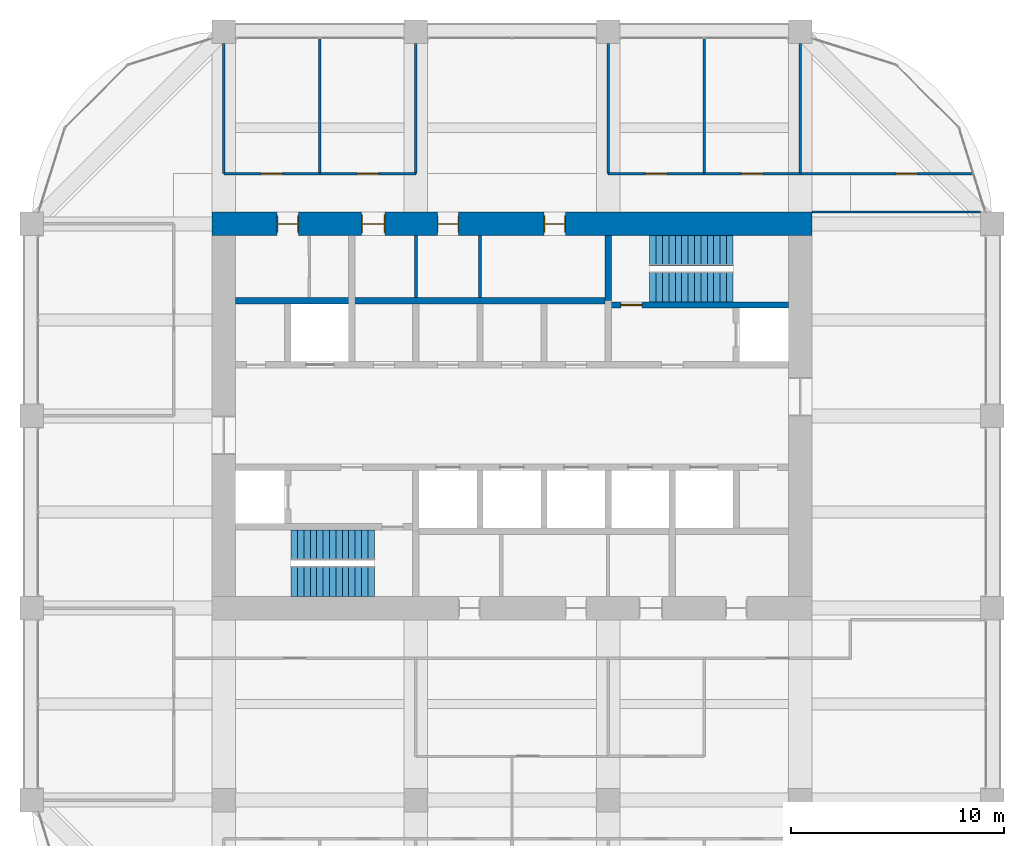
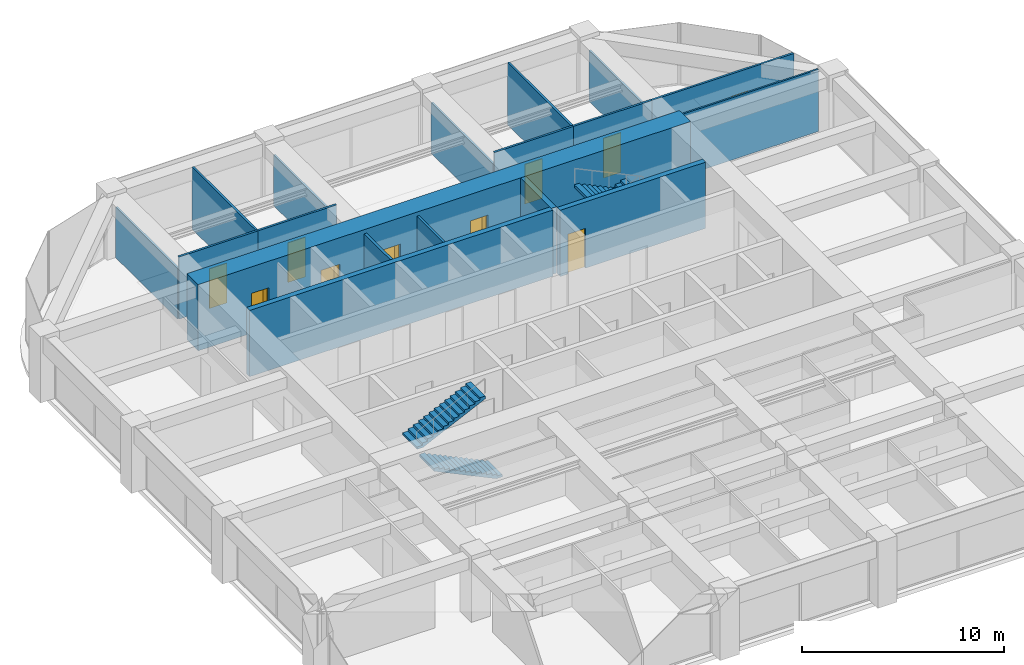
# One storey, part 43 of 44: 18 walls, 10 doors, 4 stair flights, 10 openings, 2 elements without a shape of their own.
"""IFC4 building model written with IfcOpenShell, lengths in metres."""

from ifc_helpers import new_model, si_unit, direction, frame, frame_2d, origin, place, context, subcontext, project, spatial, polyline, rectangle, outline, extrude, material, layer, layer_set, type_object, element, fill, aggregate, save


model = new_model("IFC4")

# Units and contexts
model_context = context("Model", 3, precision=1e-05, world=origin(), true_north=direction((0.0, 1.0)))
body_context = subcontext(model_context, "Body", "Model", "MODEL_VIEW")
ifc_project = project(units=[si_unit("LENGTHUNIT", "METRE"), si_unit("AREAUNIT", "SQUARE_METRE"), si_unit("VOLUMEUNIT", "CUBIC_METRE"), si_unit("PLANEANGLEUNIT", "RADIAN"), si_unit("MASSUNIT", "GRAM", prefix="KILO")], contexts=[model_context])

# Site, building, storey
site_placement = place(None, origin())
site = spatial("IfcSite", under=ifc_project, at=site_placement, CompositionType="ELEMENT")
building_placement = place(site_placement, origin())
building = spatial("IfcBuilding", under=site, at=building_placement, Name="Zorevar Civic Tower", CompositionType="ELEMENT")
storey_placement = place(building_placement, frame((0.0, 0.0, 283.39990234375)))
storey = spatial("IfcBuildingStorey", under=building, at=storey_placement, Name="L69", CompositionType="ELEMENT", Elevation=283.39990234375)

# Wall, openings, doors
ifc_material_1 = material(Name="Concrete C50/60", Category="concrete")
ifc_layer_1 = layer(ifc_material_1, 1.10009765625)
ifc_layer_set_1 = layer_set([ifc_layer_1], Name="Core wall 1100")
wall_type_1 = type_object("IfcWallType", Name="Core wall 1100", PredefinedType="SHEAR", material=ifc_layer_set_1)
wall_1_placement = place(storey_placement, frame((45.550048828125, 36.0, 0.0), z_axis=(0.0, 0.0, 1.0), x_axis=(-1.0, 0.0, 0.0)))
wall_1 = element("IfcWall", 1, at=wall_1_placement, inside=storey, type_object=wall_type_1, Name="Core wall N L69", PredefinedType="SHEAR", context=body_context, shape_type="SweptSolid", body=[
    extrude(rectangle(XDim=28.10009765625, YDim=1.10009765625, at=frame_2d((14.050048828125, 0.0))), origin(), (0.0, 0.0, 1.0), 4.0),
])
opening_1_placement = place(wall_1_placement, frame((11.550048828125, 0.0, 0.0)))
opening_1 = element("IfcOpeningElement", 2, at=opening_1_placement, cuts=wall_1, Name="Opening L69.07", PredefinedType="OPENING", context=body_context, shape_type="SweptSolid", body=[
    extrude(rectangle(XDim=1.0, YDim=2.39990234375, at=frame_2d((0.5, 1.199951171875))), frame((0.0, 0.56005859375, 0.0), z_axis=(0.0, -1.0, 0.0), x_axis=(1.0, 0.0, 0.0)), (0.0, 0.0, 1.0), 1.1201171875),
])
opening_2_placement = place(wall_1_placement, frame((16.550048828125, 0.0, 0.0)))
opening_2 = element("IfcOpeningElement", 3, at=opening_2_placement, cuts=wall_1, Name="Opening L69.08", PredefinedType="OPENING", context=body_context, shape_type="SweptSolid", body=[
    extrude(rectangle(XDim=1.0, YDim=2.39990234375, at=frame_2d((0.5, 1.199951171875))), frame((0.0, 0.56005859375, 0.0), z_axis=(0.0, -1.0, 0.0), x_axis=(1.0, 0.0, 0.0)), (0.0, 0.0, 1.0), 1.1201171875),
])
opening_3_placement = place(wall_1_placement, frame((20.0, 0.0, 0.0)))
opening_3 = element("IfcOpeningElement", 4, at=opening_3_placement, cuts=wall_1, Name="Opening L69.09", PredefinedType="OPENING", context=body_context, shape_type="SweptSolid", body=[
    extrude(rectangle(XDim=1.10009765625, YDim=2.39990234375, at=frame_2d((0.550048828125, 1.199951171875))), frame((0.0, 0.56005859375, 0.0), z_axis=(0.0, -1.0, 0.0), x_axis=(1.0, 0.0, 0.0)), (0.0, 0.0, 1.0), 1.1201171875),
])
opening_4_placement = place(wall_1_placement, frame((24.050048828125, 0.0, 0.0)))
opening_4 = element("IfcOpeningElement", 5, at=opening_4_placement, cuts=wall_1, Name="Opening L69.10", PredefinedType="OPENING", context=body_context, shape_type="SweptSolid", body=[
    extrude(rectangle(XDim=1.0, YDim=2.39990234375, at=frame_2d((0.5, 1.199951171875))), frame((0.0, 0.56005859375, 0.0), z_axis=(0.0, -1.0, 0.0), x_axis=(1.0, 0.0, 0.0)), (0.0, 0.0, 1.0), 1.1201171875),
])
ifc_material_2 = material(Name="Timber door set", Category="wood")
door_type_1 = type_object("IfcDoorType", Name="Door D1 1000x2400", OperationType="SINGLE_SWING_LEFT", PredefinedType="DOOR", material=ifc_material_2)
door_1_placement = place(opening_1_placement, origin())
door_1 = element("IfcDoor", 6, at=door_1_placement, inside=storey, type_object=door_type_1, Name="Door L69 06", OperationType="SINGLE_SWING_LEFT", OverallHeight=2.39990234375, OverallWidth=1.0, PredefinedType="DOOR", context=body_context, shape_type="SweptSolid", body=[
    extrude(rectangle(XDim=1.0, YDim=2.39990234375, at=frame_2d((0.5, 1.199951171875))), frame((0.0, 0.02490234375, 0.0), z_axis=(0.0, -1.0, 0.0), x_axis=(1.0, 0.0, 0.0)), (0.0, 0.0, 1.0), 0.050048828125),
    extrude(rectangle(XDim=0.04, YDim=2.39990234375, at=frame_2d((0.02001953125, 1.199951171875))), frame((0.0, 0.39990234375, 0.0), z_axis=(0.0, -1.0, 0.0), x_axis=(1.0, 0.0, 0.0)), (0.0, 0.0, 1.0), 0.800048828125),
    extrude(rectangle(XDim=0.04, YDim=2.39990234375, at=frame_2d((0.97998046875, 1.199951171875))), frame((0.0, 0.39990234375, 0.0), z_axis=(0.0, -1.0, 0.0), x_axis=(1.0, 0.0, 0.0)), (0.0, 0.0, 1.0), 0.800048828125),
    extrude(rectangle(XDim=1.0, YDim=0.04, at=frame_2d((0.5, 2.3798828125))), frame((0.0, 0.39990234375, 0.0), z_axis=(0.0, -1.0, 0.0), x_axis=(1.0, 0.0, 0.0)), (0.0, 0.0, 1.0), 0.800048828125),
])
fill(opening_1, door_1)
door_2_placement = place(opening_2_placement, origin())
door_2 = element("IfcDoor", 7, at=door_2_placement, inside=storey, type_object=door_type_1, Name="Door L69 07", OperationType="SINGLE_SWING_RIGHT", OverallHeight=2.39990234375, OverallWidth=1.0, PredefinedType="DOOR", context=body_context, shape_type="SweptSolid", body=[
    extrude(rectangle(XDim=1.0, YDim=2.39990234375, at=frame_2d((0.5, 1.199951171875))), frame((0.0, 0.02490234375, 0.0), z_axis=(0.0, -1.0, 0.0), x_axis=(1.0, 0.0, 0.0)), (0.0, 0.0, 1.0), 0.050048828125),
    extrude(rectangle(XDim=0.04, YDim=2.39990234375, at=frame_2d((0.02001953125, 1.199951171875))), frame((0.0, 0.39990234375, 0.0), z_axis=(0.0, -1.0, 0.0), x_axis=(1.0, 0.0, 0.0)), (0.0, 0.0, 1.0), 0.800048828125),
    extrude(rectangle(XDim=0.04, YDim=2.39990234375, at=frame_2d((0.97998046875, 1.199951171875))), frame((0.0, 0.39990234375, 0.0), z_axis=(0.0, -1.0, 0.0), x_axis=(1.0, 0.0, 0.0)), (0.0, 0.0, 1.0), 0.800048828125),
    extrude(rectangle(XDim=1.0, YDim=0.04, at=frame_2d((0.5, 2.3798828125))), frame((0.0, 0.39990234375, 0.0), z_axis=(0.0, -1.0, 0.0), x_axis=(1.0, 0.0, 0.0)), (0.0, 0.0, 1.0), 0.800048828125),
])
fill(opening_2, door_2)
door_3_placement = place(opening_4_placement, origin())
door_3 = element("IfcDoor", 8, at=door_3_placement, inside=storey, type_object=door_type_1, Name="Door L69 09", OperationType="SINGLE_SWING_RIGHT", OverallHeight=2.39990234375, OverallWidth=1.0, PredefinedType="DOOR", context=body_context, shape_type="SweptSolid", body=[
    extrude(rectangle(XDim=1.0, YDim=2.39990234375, at=frame_2d((0.5, 1.199951171875))), frame((0.0, 0.02490234375, 0.0), z_axis=(0.0, -1.0, 0.0), x_axis=(1.0, 0.0, 0.0)), (0.0, 0.0, 1.0), 0.050048828125),
    extrude(rectangle(XDim=0.04, YDim=2.39990234375, at=frame_2d((0.02001953125, 1.199951171875))), frame((0.0, 0.39990234375, 0.0), z_axis=(0.0, -1.0, 0.0), x_axis=(1.0, 0.0, 0.0)), (0.0, 0.0, 1.0), 0.800048828125),
    extrude(rectangle(XDim=0.04, YDim=2.39990234375, at=frame_2d((0.97998046875, 1.199951171875))), frame((0.0, 0.39990234375, 0.0), z_axis=(0.0, -1.0, 0.0), x_axis=(1.0, 0.0, 0.0)), (0.0, 0.0, 1.0), 0.800048828125),
    extrude(rectangle(XDim=1.0, YDim=0.04, at=frame_2d((0.5, 2.3798828125))), frame((0.0, 0.39990234375, 0.0), z_axis=(0.0, -1.0, 0.0), x_axis=(1.0, 0.0, 0.0)), (0.0, 0.0, 1.0), 0.800048828125),
])
fill(opening_4, door_3)
ifc_material_3 = material(Name="Timber door set", Category="wood")
door_type_2 = type_object("IfcDoorType", Name="Door D5 1100x2400", OperationType="SINGLE_SWING_LEFT", PredefinedType="DOOR", material=ifc_material_3)
door_4_placement = place(opening_3_placement, origin())
door_4 = element("IfcDoor", 9, at=door_4_placement, inside=storey, type_object=door_type_2, Name="Door L69 08", OperationType="SINGLE_SWING_RIGHT", OverallHeight=2.39990234375, OverallWidth=1.10009765625, PredefinedType="DOOR", context=body_context, shape_type="SweptSolid", body=[
    extrude(rectangle(XDim=1.10009765625, YDim=2.39990234375, at=frame_2d((0.550048828125, 1.199951171875))), frame((0.0, 0.02490234375, 0.0), z_axis=(0.0, -1.0, 0.0), x_axis=(1.0, 0.0, 0.0)), (0.0, 0.0, 1.0), 0.050048828125),
    extrude(rectangle(XDim=0.04, YDim=2.39990234375, at=frame_2d((0.02001953125, 1.199951171875))), frame((0.0, 0.43994140625, 0.0), z_axis=(0.0, -1.0, 0.0), x_axis=(1.0, 0.0, 0.0)), (0.0, 0.0, 1.0), 0.880126953125),
    extrude(rectangle(XDim=0.04, YDim=2.39990234375, at=frame_2d((1.080078125, 1.199951171875))), frame((0.0, 0.43994140625, 0.0), z_axis=(0.0, -1.0, 0.0), x_axis=(1.0, 0.0, 0.0)), (0.0, 0.0, 1.0), 0.880126953125),
    extrude(rectangle(XDim=1.10009765625, YDim=0.04, at=frame_2d((0.550048828125, 2.3798828125))), frame((0.0, 0.43994140625, 0.0), z_axis=(0.0, -1.0, 0.0), x_axis=(1.0, 0.0, 0.0)), (0.0, 0.0, 1.0), 0.880126953125),
])
fill(opening_3, door_4)

# Wall
ifc_material_4 = material(Name="Laminated glass in black aluminium frame", Category="aluminium")
ifc_layer_2 = layer(ifc_material_4, 0.10009765625)
ifc_layer_set_2 = layer_set([ifc_layer_2], Name="Glazed partition 100")
wall_type_2 = type_object("IfcWallType", Name="Glazed partition 100", PredefinedType="PARTITIONING", material=ifc_layer_set_2)
wall_2_placement = place(storey_placement, frame((45.550048828125, 36.550048828125, 0.0), z_axis=(0.0, 0.0, 1.0), x_axis=(1.0, 0.0, 0.0)))
element("IfcWall", 10, at=wall_2_placement, inside=storey, type_object=wall_type_2, Name="Glazed partition 100 L69", PredefinedType="PARTITIONING", context=body_context, shape_type="SweptSolid", body=[
    extrude(rectangle(XDim=7.89990234375, YDim=0.10009765625, at=frame_2d((3.949951171875, 0.0))), origin(), (0.0, 0.0, 1.0), 3.75),
])

# Wall, opening, door
ifc_material_5 = material(Name="Concrete C40/50", Category="concrete")
ifc_layer_3 = layer(ifc_material_5, 0.300048828125)
ifc_layer_set_3 = layer_set([ifc_layer_3], Name="Inner core wall 300")
wall_type_3 = type_object("IfcWallType", Name="Inner core wall 300", PredefinedType="SHEAR", material=ifc_layer_set_3)
wall_3_placement = place(storey_placement, frame((36.14990234375, 32.199951171875, 0.0), z_axis=(0.0, 0.0, 1.0), x_axis=(1.0, 0.0, 0.0)))
wall_3 = element("IfcWall", 11, at=wall_3_placement, inside=storey, type_object=wall_type_3, Name="Inner core wall N00 L69", PredefinedType="SHEAR", context=body_context, shape_type="SweptSolid", body=[
    extrude(rectangle(XDim=8.300048828125, YDim=0.300048828125, at=frame_2d((4.14990234375, 0.0))), origin(), (0.0, 0.0, 1.0), 4.0),
])
opening_5_placement = place(wall_3_placement, frame((0.449951171875, 0.0, 0.0)))
opening_5 = element("IfcOpeningElement", 12, at=opening_5_placement, cuts=wall_3, Name="Opening L69.12", PredefinedType="OPENING", context=body_context, shape_type="SweptSolid", body=[
    extrude(rectangle(XDim=1.0, YDim=2.39990234375, at=frame_2d((0.5, 1.199951171875))), frame((0.0, 0.159912109375, 0.0), z_axis=(0.0, -1.0, 0.0), x_axis=(1.0, 0.0, 0.0)), (0.0, 0.0, 1.0), 0.320068359375),
])
ifc_material_6 = material(Name="Steel door set", Category="steel")
door_type_3 = type_object("IfcDoorType", Name="Fire door FD1 1000x2400", OperationType="SINGLE_SWING_LEFT", PredefinedType="DOOR", material=ifc_material_6)
door_5_placement = place(opening_5_placement, origin())
door_5 = element("IfcDoor", 13, at=door_5_placement, inside=storey, type_object=door_type_3, Name="Door L69 11", OperationType="SINGLE_SWING_RIGHT", OverallHeight=2.39990234375, OverallWidth=1.0, PredefinedType="DOOR", context=body_context, shape_type="SweptSolid", body=[
    extrude(rectangle(XDim=1.0, YDim=2.39990234375, at=frame_2d((0.5, 1.199951171875))), frame((0.0, 0.030029296875, 0.0), z_axis=(0.0, -1.0, 0.0), x_axis=(1.0, 0.0, 0.0)), (0.0, 0.0, 1.0), 0.06005859375),
])
fill(opening_5, door_5)

# Walls
wall_4_placement = place(storey_placement, frame((36.0, 32.39990234375, 0.0), z_axis=(0.0, 0.0, 1.0), x_axis=(0.0, 1.0, 0.0)))
element("IfcWall", 14, at=wall_4_placement, inside=storey, type_object=wall_type_3, Name="Inner core wall N01 L69", PredefinedType="SHEAR", context=body_context, shape_type="SweptSolid", body=[
    extrude(rectangle(XDim=3.050048828125, YDim=0.300048828125, at=frame_2d((1.52490234375, 0.0))), origin(), (0.0, 0.0, 1.0), 4.0),
])
wall_5_placement = place(storey_placement, frame((18.550048828125, 32.39990234375, 0.0), z_axis=(0.0, 0.0, 1.0), x_axis=(1.0, 0.0, 0.0)))
element("IfcWall", 15, at=wall_5_placement, inside=storey, type_object=wall_type_3, Name="Inner core wall N04 L69", PredefinedType="SHEAR", context=body_context, shape_type="SweptSolid", body=[
    extrude(rectangle(XDim=17.300048828125, YDim=0.300048828125, at=frame_2d((8.64990234375, 0.0))), origin(), (0.0, 0.0, 1.0), 4.0),
])

# Wall, opening, door
ifc_material_7 = material(Name="Gypsum board on steel studs", Category="steel")
ifc_layer_4 = layer(ifc_material_7, 0.1201171875)
ifc_layer_set_4 = layer_set([ifc_layer_4], Name="Partition 120")
wall_type_4 = type_object("IfcWallType", Name="Partition 120", PredefinedType="PARTITIONING", material=ifc_layer_set_4)
wall_6_placement = place(storey_placement, frame((18.0, 38.35009765625, 0.0), z_axis=(0.0, 0.0, 1.0), x_axis=(1.0, 0.0, 0.0)))
wall_6 = element("IfcWall", 16, at=wall_6_placement, inside=storey, type_object=wall_type_4, Name="Partition 120 L69", PredefinedType="PARTITIONING", context=body_context, shape_type="SweptSolid", body=[
    extrude(rectangle(XDim=4.5, YDim=0.1201171875, at=frame_2d((2.25, 0.0))), origin(), (0.0, 0.0, 1.0), 3.75),
])
opening_6_placement = place(wall_6_placement, frame((1.75, 0.0, 0.0)))
opening_6 = element("IfcOpeningElement", 17, at=opening_6_placement, cuts=wall_6, Name="Opening L69.27", PredefinedType="OPENING", context=body_context, shape_type="SweptSolid", body=[
    extrude(rectangle(XDim=1.0, YDim=2.39990234375, at=frame_2d((0.5, 1.199951171875))), frame((0.0, 0.070068359375, 0.0), z_axis=(0.0, -1.0, 0.0), x_axis=(1.0, 0.0, 0.0)), (0.0, 0.0, 1.0), 0.14013671875),
])
door_6_placement = place(opening_6_placement, origin())
door_6 = element("IfcDoor", 18, at=door_6_placement, inside=storey, type_object=door_type_1, Name="Door L69 D1", OperationType="SINGLE_SWING_LEFT", OverallHeight=2.39990234375, OverallWidth=1.0, PredefinedType="DOOR", context=body_context, shape_type="SweptSolid", body=[
    extrude(rectangle(XDim=1.0, YDim=2.39990234375, at=frame_2d((0.5, 1.199951171875))), frame((0.0, 0.02490234375, 0.0), z_axis=(0.0, -1.0, 0.0), x_axis=(1.0, 0.0, 0.0)), (0.0, 0.0, 1.0), 0.050048828125),
])
fill(opening_6, door_6)

wall_7_placement = place(storey_placement, frame((22.5, 38.35009765625, 0.0), z_axis=(0.0, 0.0, 1.0), x_axis=(1.0, 0.0, 0.0)))
wall_7 = element("IfcWall", 19, at=wall_7_placement, inside=storey, type_object=wall_type_4, Name="Partition 120 L69", PredefinedType="PARTITIONING", context=body_context, shape_type="SweptSolid", body=[
    extrude(rectangle(XDim=4.5, YDim=0.1201171875, at=frame_2d((2.25, 0.0))), origin(), (0.0, 0.0, 1.0), 3.75),
])
opening_7_placement = place(wall_7_placement, frame((1.75, 0.0, 0.0)))
opening_7 = element("IfcOpeningElement", 20, at=opening_7_placement, cuts=wall_7, Name="Opening L69.28", PredefinedType="OPENING", context=body_context, shape_type="SweptSolid", body=[
    extrude(rectangle(XDim=1.0, YDim=2.39990234375, at=frame_2d((0.5, 1.199951171875))), frame((0.0, 0.070068359375, 0.0), z_axis=(0.0, -1.0, 0.0), x_axis=(1.0, 0.0, 0.0)), (0.0, 0.0, 1.0), 0.14013671875),
])
door_7_placement = place(opening_7_placement, origin())
door_7 = element("IfcDoor", 21, at=door_7_placement, inside=storey, type_object=door_type_1, Name="Door L69 D1", OperationType="SINGLE_SWING_LEFT", OverallHeight=2.39990234375, OverallWidth=1.0, PredefinedType="DOOR", context=body_context, shape_type="SweptSolid", body=[
    extrude(rectangle(XDim=1.0, YDim=2.39990234375, at=frame_2d((0.5, 1.199951171875))), frame((0.0, 0.02490234375, 0.0), z_axis=(0.0, -1.0, 0.0), x_axis=(1.0, 0.0, 0.0)), (0.0, 0.0, 1.0), 0.050048828125),
])
fill(opening_7, door_7)

wall_8_placement = place(storey_placement, frame((36.0, 38.35009765625, 0.0), z_axis=(0.0, 0.0, 1.0), x_axis=(1.0, 0.0, 0.0)))
wall_8 = element("IfcWall", 22, at=wall_8_placement, inside=storey, type_object=wall_type_4, Name="Partition 120 L69", PredefinedType="PARTITIONING", context=body_context, shape_type="SweptSolid", body=[
    extrude(rectangle(XDim=4.5, YDim=0.1201171875, at=frame_2d((2.25, 0.0))), origin(), (0.0, 0.0, 1.0), 3.75),
])
opening_8_placement = place(wall_8_placement, frame((1.75, 0.0, 0.0)))
opening_8 = element("IfcOpeningElement", 23, at=opening_8_placement, cuts=wall_8, Name="Opening L69.29", PredefinedType="OPENING", context=body_context, shape_type="SweptSolid", body=[
    extrude(rectangle(XDim=1.0, YDim=2.39990234375, at=frame_2d((0.5, 1.199951171875))), frame((0.0, 0.070068359375, 0.0), z_axis=(0.0, -1.0, 0.0), x_axis=(1.0, 0.0, 0.0)), (0.0, 0.0, 1.0), 0.14013671875),
])
door_8_placement = place(opening_8_placement, origin())
door_8 = element("IfcDoor", 24, at=door_8_placement, inside=storey, type_object=door_type_1, Name="Door L69 D1", OperationType="SINGLE_SWING_RIGHT", OverallHeight=2.39990234375, OverallWidth=1.0, PredefinedType="DOOR", context=body_context, shape_type="SweptSolid", body=[
    extrude(rectangle(XDim=1.0, YDim=2.39990234375, at=frame_2d((0.5, 1.199951171875))), frame((0.0, 0.02490234375, 0.0), z_axis=(0.0, -1.0, 0.0), x_axis=(1.0, 0.0, 0.0)), (0.0, 0.0, 1.0), 0.050048828125),
])
fill(opening_8, door_8)

wall_9_placement = place(storey_placement, frame((40.5, 38.35009765625, 0.0), z_axis=(0.0, 0.0, 1.0), x_axis=(1.0, 0.0, 0.0)))
wall_9 = element("IfcWall", 25, at=wall_9_placement, inside=storey, type_object=wall_type_4, Name="Partition 120 L69", PredefinedType="PARTITIONING", context=body_context, shape_type="SweptSolid", body=[
    extrude(rectangle(XDim=4.5, YDim=0.1201171875, at=frame_2d((2.25, 0.0))), origin(), (0.0, 0.0, 1.0), 3.75),
])
opening_9_placement = place(wall_9_placement, frame((1.75, 0.0, 0.0)))
opening_9 = element("IfcOpeningElement", 26, at=opening_9_placement, cuts=wall_9, Name="Opening L69.30", PredefinedType="OPENING", context=body_context, shape_type="SweptSolid", body=[
    extrude(rectangle(XDim=1.0, YDim=2.39990234375, at=frame_2d((0.5, 1.199951171875))), frame((0.0, 0.070068359375, 0.0), z_axis=(0.0, -1.0, 0.0), x_axis=(1.0, 0.0, 0.0)), (0.0, 0.0, 1.0), 0.14013671875),
])
door_9_placement = place(opening_9_placement, origin())
door_9 = element("IfcDoor", 27, at=door_9_placement, inside=storey, type_object=door_type_1, Name="Door L69 D1", OperationType="SINGLE_SWING_RIGHT", OverallHeight=2.39990234375, OverallWidth=1.0, PredefinedType="DOOR", context=body_context, shape_type="SweptSolid", body=[
    extrude(rectangle(XDim=1.0, YDim=2.39990234375, at=frame_2d((0.5, 1.199951171875))), frame((0.0, 0.02490234375, 0.0), z_axis=(0.0, -1.0, 0.0), x_axis=(1.0, 0.0, 0.0)), (0.0, 0.0, 1.0), 0.050048828125),
])
fill(opening_9, door_9)

wall_10_placement = place(storey_placement, frame((45.0, 38.35009765625, 0.0), z_axis=(0.0, 0.0, 1.0), x_axis=(1.0, 0.0, 0.0)))
wall_10 = element("IfcWall", 28, at=wall_10_placement, inside=storey, type_object=wall_type_4, Name="Partition 120 L69", PredefinedType="PARTITIONING", context=body_context, shape_type="SweptSolid", body=[
    extrude(rectangle(XDim=8.082275390625, YDim=0.1201171875, at=frame_2d((4.041015625, 0.0))), origin(), (0.0, 0.0, 1.0), 3.75),
])
opening_10_placement = place(wall_10_placement, frame((4.5, 0.0, 0.0)))
opening_10 = element("IfcOpeningElement", 29, at=opening_10_placement, cuts=wall_10, Name="Opening L69.31", PredefinedType="OPENING", context=body_context, shape_type="SweptSolid", body=[
    extrude(rectangle(XDim=1.0, YDim=2.39990234375, at=frame_2d((0.5, 1.199951171875))), frame((0.0, 0.070068359375, 0.0), z_axis=(0.0, -1.0, 0.0), x_axis=(1.0, 0.0, 0.0)), (0.0, 0.0, 1.0), 0.14013671875),
])
door_10_placement = place(opening_10_placement, origin())
door_10 = element("IfcDoor", 30, at=door_10_placement, inside=storey, type_object=door_type_1, Name="Door L69 D1", OperationType="SINGLE_SWING_LEFT", OverallHeight=2.39990234375, OverallWidth=1.0, PredefinedType="DOOR", context=body_context, shape_type="SweptSolid", body=[
    extrude(rectangle(XDim=1.0, YDim=2.39990234375, at=frame_2d((0.5, 1.199951171875))), frame((0.0, 0.02490234375, 0.0), z_axis=(0.0, -1.0, 0.0), x_axis=(1.0, 0.0, 0.0)), (0.0, 0.0, 1.0), 0.050048828125),
])
fill(opening_10, door_10)

# Walls
wall_11_placement = place(storey_placement, frame((18.0, 38.35009765625, 0.0), z_axis=(0.0, 0.0, 1.0), x_axis=(0.0, 1.0, 0.0)))
element("IfcWall", 31, at=wall_11_placement, inside=storey, type_object=wall_type_4, Name="Partition 120 L69", PredefinedType="PARTITIONING", context=body_context, shape_type="SweptSolid", body=[
    extrude(rectangle(XDim=6.099853515625, YDim=0.1201171875, at=frame_2d((3.0498046875, 0.0))), origin(), (0.0, 0.0, 1.0), 3.050048828125),
])
wall_12_placement = place(storey_placement, frame((22.5, 38.35009765625, 0.0), z_axis=(0.0, 0.0, 1.0), x_axis=(0.0, 1.0, 0.0)))
element("IfcWall", 32, at=wall_12_placement, inside=storey, type_object=wall_type_4, Name="Partition 120 L69", PredefinedType="PARTITIONING", context=body_context, shape_type="SweptSolid", body=[
    extrude(rectangle(XDim=6.33984375, YDim=0.1201171875, at=frame_2d((3.169921875, 0.0))), origin(), (0.0, 0.0, 1.0), 3.75),
])
for number, where, z_axis, x_axis, name in (
    (33, (27.0, 38.35009765625, 0.0), (0.0, 0.0, 1.0), (0.0, 1.0, 0.0), "Partition 120 L69"),
    (34, (36.0, 38.35009765625, 0.0), (0.0, 0.0, 1.0), (0.0, 1.0, 0.0), "Partition 120 L69"),
):
    element("IfcWall", number, at=place(storey_placement, frame(where, z_axis=z_axis, x_axis=x_axis)), inside=storey, type_object=wall_type_4, Name=name, PredefinedType="PARTITIONING", context=body_context, shape_type="SweptSolid", body=[
        extrude(rectangle(XDim=6.099853515625, YDim=0.1201171875, at=frame_2d((3.0498046875, 0.0))), origin(), (0.0, 0.0, 1.0), 3.050048828125),
    ])
wall_13_placement = place(storey_placement, frame((40.5, 38.35009765625, 0.0), z_axis=(0.0, 0.0, 1.0), x_axis=(0.0, 1.0, 0.0)))
element("IfcWall", 35, at=wall_13_placement, inside=storey, type_object=wall_type_4, Name="Partition 120 L69", PredefinedType="PARTITIONING", context=body_context, shape_type="SweptSolid", body=[
    extrude(rectangle(XDim=6.33984375, YDim=0.1201171875, at=frame_2d((3.169921875, 0.0))), origin(), (0.0, 0.0, 1.0), 3.75),
])
wall_14_placement = place(storey_placement, frame((45.0, 38.35009765625, 0.0), z_axis=(0.0, 0.0, 1.0), x_axis=(0.0, 1.0, 0.0)))
element("IfcWall", 36, at=wall_14_placement, inside=storey, type_object=wall_type_4, Name="Partition 120 L69", PredefinedType="PARTITIONING", context=body_context, shape_type="SweptSolid", body=[
    extrude(rectangle(XDim=6.099853515625, YDim=0.1201171875, at=frame_2d((3.0498046875, 0.0))), origin(), (0.0, 0.0, 1.0), 3.050048828125),
])
wall_15_placement = place(storey_placement, frame((30.0, 32.550048828125, 0.0), z_axis=(0.0, 0.0, 1.0), x_axis=(0.0, 1.0, 0.0)))
element("IfcWall", 37, at=wall_15_placement, inside=storey, type_object=wall_type_4, Name="Partition L69", PredefinedType="PARTITIONING", context=body_context, shape_type="SweptSolid", body=[
    extrude(rectangle(XDim=2.89990234375, YDim=0.1201171875, at=frame_2d((1.449951171875, 0.0))), origin(), (0.0, 0.0, 1.0), 3.75),
])
ifc_material_8 = material(Name="Gypsum board on steel studs, moisture resistant", Category="steel")
ifc_layer_5 = layer(ifc_material_8, 0.14990234375)
ifc_layer_set_5 = layer_set([ifc_layer_5], Name="WC partition 150")
wall_type_5 = type_object("IfcWallType", Name="WC partition 150", PredefinedType="PARTITIONING", material=ifc_layer_set_5)
wall_16_placement = place(storey_placement, frame((27.0, 32.550048828125, 0.0), z_axis=(0.0, 0.0, 1.0), x_axis=(0.0, 1.0, 0.0)))
element("IfcWall", 38, at=wall_16_placement, inside=storey, type_object=wall_type_5, Name="WC partition L69", PredefinedType="PARTITIONING", context=body_context, shape_type="SweptSolid", body=[
    extrude(rectangle(XDim=2.89990234375, YDim=0.14990234375, at=frame_2d((1.449951171875, 0.0))), origin(), (0.0, 0.0, 1.0), 3.75),
])

# Stair, stair flights
ifc_material_9 = material(Name="Precast concrete C40/50", Category="concrete")
stair_type = type_object("IfcStairType", Name="Stair ST 28R", PredefinedType="HALF_TURN_STAIR", material=ifc_material_9)
stair_1_placement = place(storey_placement, origin())
stair_1 = element("IfcStair", 39, at=stair_1_placement, inside=storey, type_object=stair_type, Name="Stair ST1 L69", PredefinedType="HALF_TURN_STAIR")
ifc_material_10 = material(Name="Precast concrete C40/50", Category="concrete")
stair_flight_type = type_object("IfcStairFlightType", Name="Stair flight", PredefinedType="STRAIGHT", material=ifc_material_10)
stair_flight_1_placement = place(storey_placement, frame((25.050048828125, 19.262451171875, 0.0), z_axis=(0.0, 0.0, 1.0), x_axis=(-1.0, 0.0, 0.0)))
stair_flight_1 = element("IfcStairFlight", 40, at=stair_flight_1_placement, type_object=stair_flight_type, Name="ST1 flight 1", NumberOfRisers=14, NumberOfTreads=13, PredefinedType="STRAIGHT", RiserHeight=0.142857143, TreadLength=0.3, context=body_context, shape_type="SweptSolid", body=[
    extrude(outline(polyline([(0.0, 0.0), (0.0, 0.142822265625), (0.300048828125, 0.142822265625), (0.300048828125, 0.28564453125), (0.60009765625, 0.28564453125), (0.60009765625, 0.428466796875), (0.89990234375, 0.428466796875), (0.89990234375, 0.571533203125), (1.199951171875, 0.571533203125), (1.199951171875, 0.71435546875), (1.5, 0.71435546875), (1.5, 0.857177734375), (1.800048828125, 0.857177734375), (1.800048828125, 1.0), (2.10009765625, 1.0), (2.10009765625, 1.142822265625), (2.39990234375, 1.142822265625), (2.39990234375, 1.28564453125), (2.699951171875, 1.28564453125), (2.699951171875, 1.428466796875), (3.0, 1.428466796875), (3.0, 1.571533203125), (3.300048828125, 1.571533203125), (3.300048828125, 1.71435546875), (3.60009765625, 1.71435546875), (3.60009765625, 1.857177734375), (3.89990234375, 1.857177734375), (3.89990234375, 2.0), (3.89990234375, 1.691162109375), (0.3486328125, 0.0), (0.0, 0.0)])), frame((0.0, 0.71240234375, 0.0), z_axis=(0.0, -1.0, 0.0), x_axis=(1.0, 0.0, 0.0)), (0.0, 0.0, 1.0), 1.425048828125),
])
stair_flight_2_placement = place(storey_placement, frame((21.14990234375, 20.9375, 2.0), z_axis=(0.0, 0.0, 1.0), x_axis=(1.0, 0.0, 0.0)))
stair_flight_2 = element("IfcStairFlight", 41, at=stair_flight_2_placement, type_object=stair_flight_type, Name="ST1 flight 2", NumberOfRisers=14, NumberOfTreads=13, PredefinedType="STRAIGHT", RiserHeight=0.142857143, TreadLength=0.3, context=body_context, shape_type="SweptSolid", body=[
    extrude(outline(polyline([(0.0, 0.0), (0.0, 0.142822265625), (0.300048828125, 0.142822265625), (0.300048828125, 0.28564453125), (0.60009765625, 0.28564453125), (0.60009765625, 0.428466796875), (0.89990234375, 0.428466796875), (0.89990234375, 0.571533203125), (1.199951171875, 0.571533203125), (1.199951171875, 0.71435546875), (1.5, 0.71435546875), (1.5, 0.857177734375), (1.800048828125, 0.857177734375), (1.800048828125, 1.0), (2.10009765625, 1.0), (2.10009765625, 1.142822265625), (2.39990234375, 1.142822265625), (2.39990234375, 1.28564453125), (2.699951171875, 1.28564453125), (2.699951171875, 1.428466796875), (3.0, 1.428466796875), (3.0, 1.571533203125), (3.300048828125, 1.571533203125), (3.300048828125, 1.71435546875), (3.60009765625, 1.71435546875), (3.60009765625, 1.857177734375), (3.89990234375, 1.857177734375), (3.89990234375, 2.0), (3.89990234375, 1.691162109375), (0.3486328125, 0.0), (0.0, 0.0)])), frame((0.0, 0.71240234375, 0.0), z_axis=(0.0, -1.0, 0.0), x_axis=(1.0, 0.0, 0.0)), (0.0, 0.0, 1.0), 1.425048828125),
])
aggregate(stair_1, [stair_flight_1, stair_flight_2])

stair_2_placement = place(storey_placement, origin())
stair_2 = element("IfcStair", 42, at=stair_2_placement, inside=storey, type_object=stair_type, Name="Stair ST2 L69", PredefinedType="HALF_TURN_STAIR")
stair_flight_3_placement = place(storey_placement, frame((37.949951171875, 34.737548828125, 0.0), z_axis=(0.0, 0.0, 1.0), x_axis=(1.0, 0.0, 0.0)))
stair_flight_3 = element("IfcStairFlight", 43, at=stair_flight_3_placement, type_object=stair_flight_type, Name="ST2 flight 1", NumberOfRisers=14, NumberOfTreads=13, PredefinedType="STRAIGHT", RiserHeight=0.142857143, TreadLength=0.3, context=body_context, shape_type="SweptSolid", body=[
    extrude(outline(polyline([(0.0, 0.0), (0.0, 0.142822265625), (0.300048828125, 0.142822265625), (0.300048828125, 0.28564453125), (0.60009765625, 0.28564453125), (0.60009765625, 0.428466796875), (0.89990234375, 0.428466796875), (0.89990234375, 0.571533203125), (1.199951171875, 0.571533203125), (1.199951171875, 0.71435546875), (1.5, 0.71435546875), (1.5, 0.857177734375), (1.800048828125, 0.857177734375), (1.800048828125, 1.0), (2.10009765625, 1.0), (2.10009765625, 1.142822265625), (2.39990234375, 1.142822265625), (2.39990234375, 1.28564453125), (2.699951171875, 1.28564453125), (2.699951171875, 1.428466796875), (3.0, 1.428466796875), (3.0, 1.571533203125), (3.300048828125, 1.571533203125), (3.300048828125, 1.71435546875), (3.60009765625, 1.71435546875), (3.60009765625, 1.857177734375), (3.89990234375, 1.857177734375), (3.89990234375, 2.0), (3.89990234375, 1.691162109375), (0.3486328125, 0.0), (0.0, 0.0)])), frame((0.0, 0.71240234375, 0.0), z_axis=(0.0, -1.0, 0.0), x_axis=(1.0, 0.0, 0.0)), (0.0, 0.0, 1.0), 1.425048828125),
])
stair_flight_4_placement = place(storey_placement, frame((41.85009765625, 33.0625, 2.0), z_axis=(0.0, 0.0, 1.0), x_axis=(-1.0, 0.0, 0.0)))
stair_flight_4 = element("IfcStairFlight", 44, at=stair_flight_4_placement, type_object=stair_flight_type, Name="ST2 flight 2", NumberOfRisers=14, NumberOfTreads=13, PredefinedType="STRAIGHT", RiserHeight=0.142857143, TreadLength=0.3, context=body_context, shape_type="SweptSolid", body=[
    extrude(outline(polyline([(0.0, 0.0), (0.0, 0.142822265625), (0.300048828125, 0.142822265625), (0.300048828125, 0.28564453125), (0.60009765625, 0.28564453125), (0.60009765625, 0.428466796875), (0.89990234375, 0.428466796875), (0.89990234375, 0.571533203125), (1.199951171875, 0.571533203125), (1.199951171875, 0.71435546875), (1.5, 0.71435546875), (1.5, 0.857177734375), (1.800048828125, 0.857177734375), (1.800048828125, 1.0), (2.10009765625, 1.0), (2.10009765625, 1.142822265625), (2.39990234375, 1.142822265625), (2.39990234375, 1.28564453125), (2.699951171875, 1.28564453125), (2.699951171875, 1.428466796875), (3.0, 1.428466796875), (3.0, 1.571533203125), (3.300048828125, 1.571533203125), (3.300048828125, 1.71435546875), (3.60009765625, 1.71435546875), (3.60009765625, 1.857177734375), (3.89990234375, 1.857177734375), (3.89990234375, 2.0), (3.89990234375, 1.691162109375), (0.3486328125, 0.0), (0.0, 0.0)])), frame((0.0, 0.71240234375, 0.0), z_axis=(0.0, -1.0, 0.0), x_axis=(1.0, 0.0, 0.0)), (0.0, 0.0, 1.0), 1.425048828125),
])
aggregate(stair_2, [stair_flight_3, stair_flight_4])

save(model, "model.ifc")
